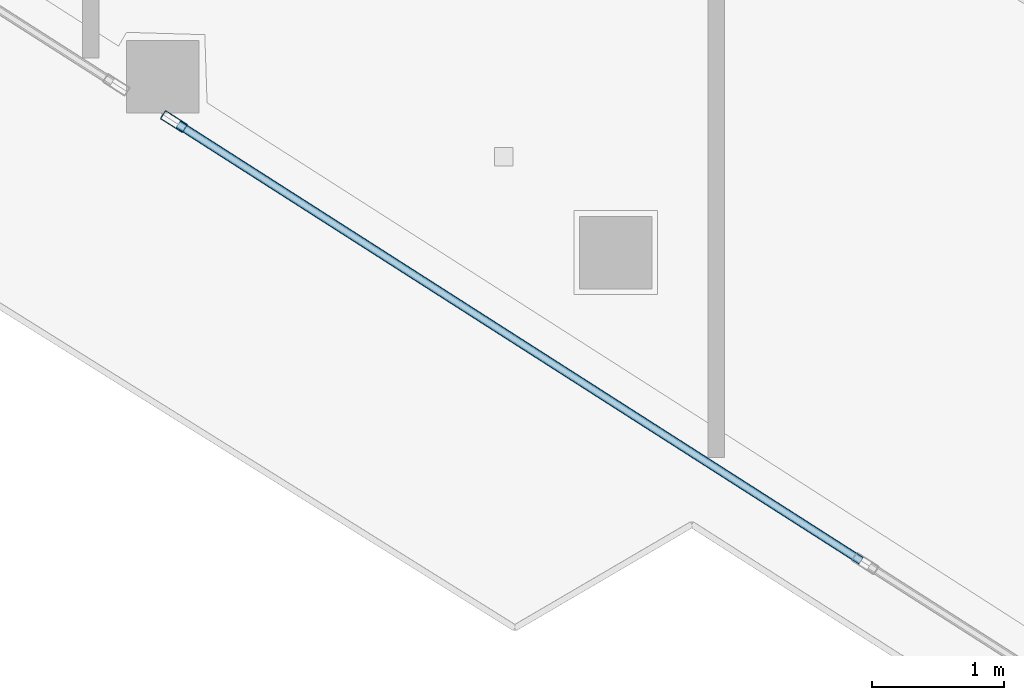
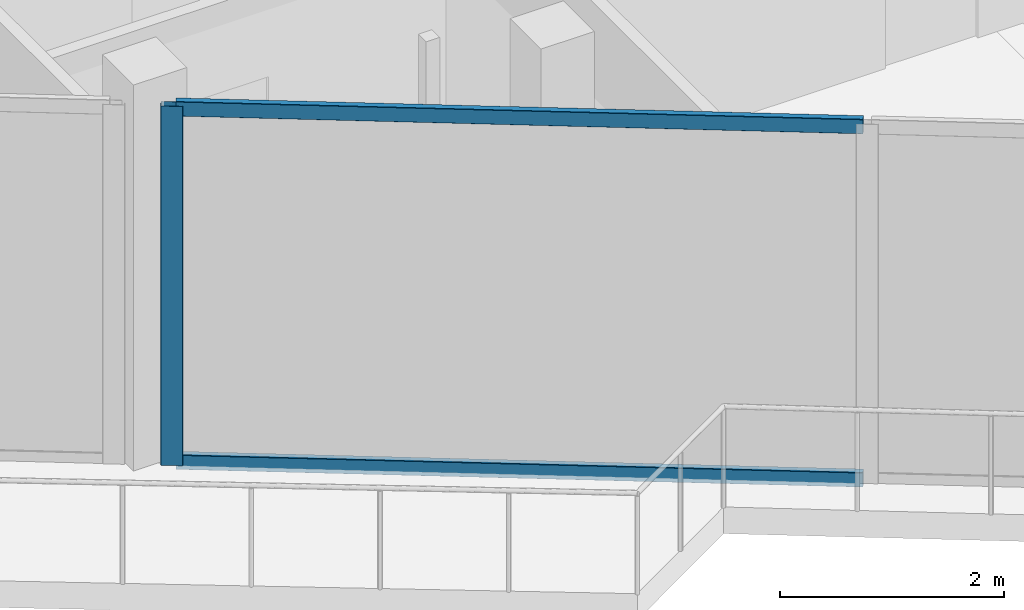
# One storey, part 4 of 27: 3 members, 1 element without a shape of its own.
"""IFC4 building model written with IfcOpenShell, lengths in metres."""

from ifc_helpers import new_model, si_unit, direction, frame, origin, origin_2d, place, context, subcontext, project, spatial, hollow_rectangle, extrude, material, layer, layer_set, material_profile, profile_set, type_object, element, aggregate, save


model = new_model("IFC4")

# Units and contexts
model_context = context("Model", 3, precision=1e-05, world=origin(), true_north=direction((0.0, 1.0)))
body_context = subcontext(model_context, "Body", "Model", "MODEL_VIEW")
ifc_project = project(units=[si_unit("LENGTHUNIT", "METRE"), si_unit("AREAUNIT", "SQUARE_METRE"), si_unit("VOLUMEUNIT", "CUBIC_METRE"), si_unit("PLANEANGLEUNIT", "RADIAN"), si_unit("MASSUNIT", "GRAM", prefix="KILO")], contexts=[model_context])

# Site, building, storey
site_placement = place(None, origin())
site = spatial("IfcSite", under=ifc_project, at=site_placement, CompositionType="ELEMENT")
building_placement = place(site_placement, origin())
building = spatial("IfcBuilding", under=site, at=building_placement, Name="Qorvath Tower", CompositionType="ELEMENT")
storey_placement = place(building_placement, frame((0.0, 0.0, 293.39990234375)))
storey = spatial("IfcBuildingStorey", under=building, at=storey_placement, Name="L68", CompositionType="ELEMENT", Elevation=293.39990234375)

# Curtain wall, members
ifc_material_1 = material(Name="Anodised aluminium and triple low-E glass", Category="aluminium")
ifc_layer = layer(ifc_material_1, 0.179931640625)
ifc_layer_set = layer_set([ifc_layer], Name="CW-SYS-5")
curtain_wall_type = type_object("IfcCurtainWallType", Name="CW-SYS-5", PredefinedType="NOTDEFINED", material=ifc_layer_set)
curtain_wall_placement = place(storey_placement, origin())
curtain_wall = element("IfcCurtainWall", 1, at=curtain_wall_placement, inside=storey, type_object=curtain_wall_type, Name="Curtain Wall CW-5 CW-T-L68-2.2", PredefinedType="NOTDEFINED")
ifc_material_2 = material(Name="Anodised aluminium 6063-T6", Category="aluminium")
ifc_material_profile_1 = material_profile(ifc_material_2, hollow_rectangle(XDim=0.074951171875, YDim=0.199951171875, WallThickness=0.00390625, InnerFilletRadius=0.00390625, OuterFilletRadius=0.008056640625, at=origin_2d()), Name="CWM 200x75")
ifc_profile_set_1 = profile_set([ifc_material_profile_1], Name="Anodised aluminium 6063-T6")
member_type_1 = type_object("IfcMemberType", Name="CWM-200", PredefinedType="MULLION", material=ifc_profile_set_1)
member_1_placement = place(storey_placement, frame((-34.02001953125, -13.1328125, 0.0), z_axis=(0.0, 0.0, 1.0), x_axis=(0.538532681144, 0.842604623379, 0.0)))
member_1 = element("IfcMember", 2, at=member_1_placement, type_object=member_type_1, Name="CW-5 mullion 1", PredefinedType="MULLION", context=body_context, shape_type="SweptSolid", body=[
    extrude(hollow_rectangle(XDim=0.074951171875, YDim=0.199951171875, WallThickness=0.00390625, InnerFilletRadius=0.00390625, OuterFilletRadius=0.008056640625, at=origin_2d()), origin(), (0.0, 0.0, 1.0), 3.91015625),
])
ifc_material_3 = material(Name="Anodised aluminium 6063-T6", Category="aluminium")
ifc_material_profile_2 = material_profile(ifc_material_3, hollow_rectangle(XDim=0.06494140625, YDim=0.159912109375, WallThickness=0.00341796875, InnerFilletRadius=0.00341796875, OuterFilletRadius=0.007080078125, at=origin_2d()), Name="CWT 160x65")
ifc_profile_set_2 = profile_set([ifc_material_profile_2], Name="Anodised aluminium 6063-T6")
member_type_2 = type_object("IfcMemberType", Name="CWT-160", PredefinedType="USERDEFINED", material=ifc_profile_set_2)
member_2_placement = place(storey_placement, frame((-33.98828125, -13.15283203125, 0.032470703125), z_axis=(0.842595895365, -0.538546337016, 0.0), x_axis=(0.538546337016, 0.842595895365, 0.0)))
member_2 = element("IfcMember", 3, at=member_2_placement, type_object=member_type_2, Name="CW-5 transom 1.1", ObjectType="TRANSOM", PredefinedType="USERDEFINED", context=body_context, shape_type="SweptSolid", body=[
    extrude(hollow_rectangle(XDim=0.06494140625, YDim=0.159912109375, WallThickness=0.00341796875, InnerFilletRadius=0.00341796875, OuterFilletRadius=0.007080078125, at=origin_2d()), origin(), (0.0, 0.0, 1.0), 6.13232421875),
])
member_3_placement = place(storey_placement, frame((-33.98828125, -13.15283203125, 3.877685546875), z_axis=(0.842595895365, -0.538546337016, 0.0), x_axis=(0.538546337016, 0.842595895365, 0.0)))
member_3 = element("IfcMember", 4, at=member_3_placement, type_object=member_type_2, Name="CW-5 transom 1.2", ObjectType="TRANSOM", PredefinedType="USERDEFINED", context=body_context, shape_type="SweptSolid", body=[
    extrude(hollow_rectangle(XDim=0.06494140625, YDim=0.159912109375, WallThickness=0.00341796875, InnerFilletRadius=0.00341796875, OuterFilletRadius=0.007080078125, at=origin_2d()), origin(), (0.0, 0.0, 1.0), 6.13232421875),
])
aggregate(curtain_wall, [member_1, member_2, member_3])

save(model, "model.ifc")
